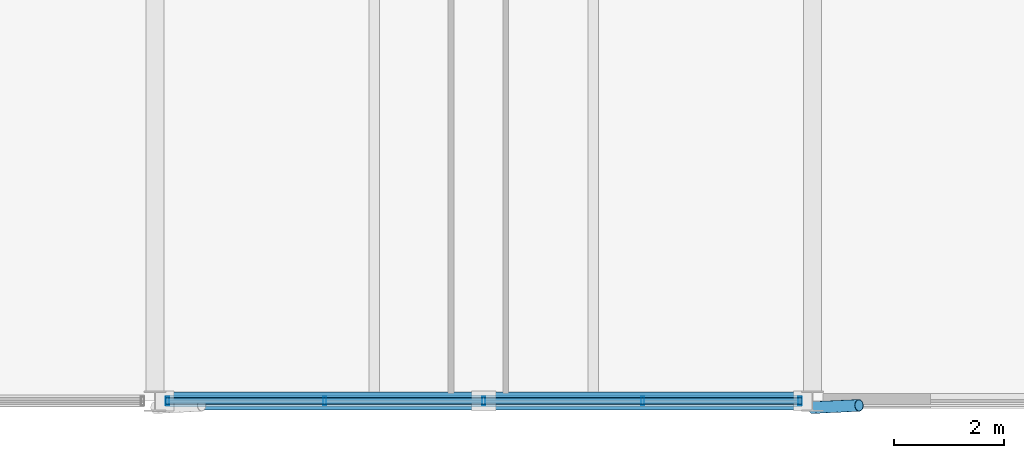
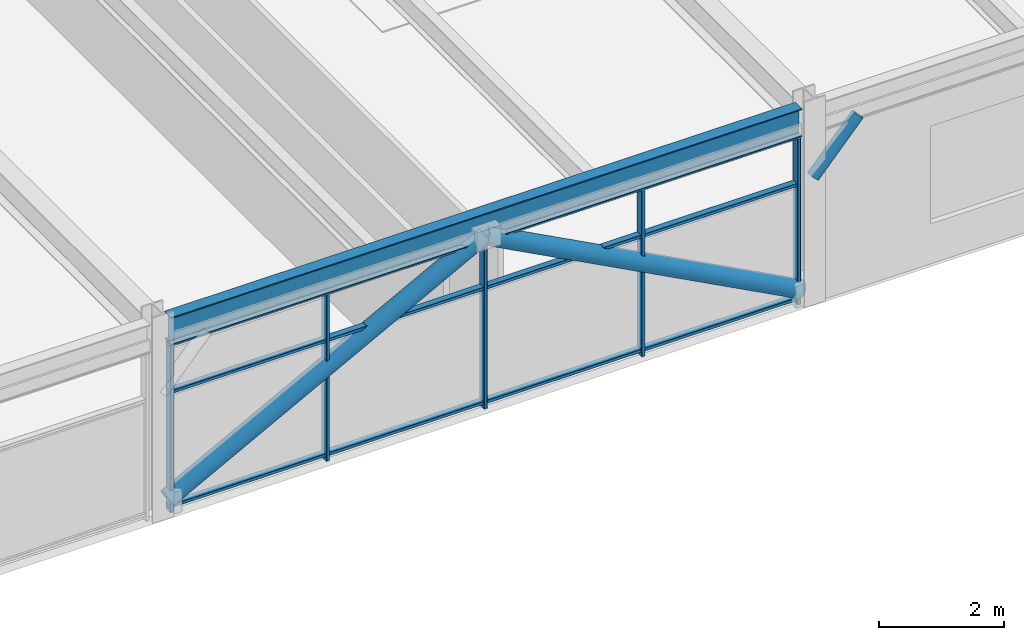
# One storey, part 33 of 51: 11 members, 1 beam, 1 element without a shape of its own.
"""IFC4 building model written with IfcOpenShell, lengths in metres."""

from ifc_helpers import new_model, si_unit, direction, frame, origin, origin_2d, place, context, subcontext, project, spatial, hollow_rectangle, hollow_circle, i_section, extrude, material, material_profile, profile_set, type_object, element, aggregate, save


model = new_model("IFC4")

# Units and contexts
model_context = context("Model", 3, precision=1e-05, world=origin(), true_north=direction((0.0, 1.0)))
body_context = subcontext(model_context, "Body", "Model", "MODEL_VIEW")
ifc_project = project(units=[si_unit("LENGTHUNIT", "METRE"), si_unit("AREAUNIT", "SQUARE_METRE"), si_unit("VOLUMEUNIT", "CUBIC_METRE"), si_unit("PLANEANGLEUNIT", "RADIAN"), si_unit("MASSUNIT", "GRAM", prefix="KILO")], contexts=[model_context])

# Site, building, storey
site_placement = place(None, origin())
site = spatial("IfcSite", under=ifc_project, at=site_placement, CompositionType="ELEMENT")
building_placement = place(site_placement, origin())
building = spatial("IfcBuilding", under=site, at=building_placement, Name="Girod Span Mobility Hub", CompositionType="ELEMENT")
storey_placement = place(building_placement, frame((0.0, 0.0, 41.60009765625)))
storey = spatial("IfcBuildingStorey", under=building, at=storey_placement, Name="L10", CompositionType="ELEMENT", Elevation=41.60009765625)

# Beam
ifc_material_1 = material(Name="Steel A992 Grade 50", Category="steel")
ifc_material_profile_1 = material_profile(ifc_material_1, i_section(OverallWidth=0.2119140625, OverallDepth=0.5439453125, WebThickness=0.01318359375, FlangeThickness=0.021240234375, FilletRadius=0.014892578125, at=origin_2d()), Name="W21X83")
ifc_profile_set_1 = profile_set([ifc_material_profile_1], Name="Steel A992 Grade 50")
beam_type = type_object("IfcBeamType", Name="BM-STL-W21X83", PredefinedType="SPANDREL", material=ifc_profile_set_1)
beam_placement = place(storey_placement, frame((120.194091796875, 27.0, 3.552978515625), z_axis=(1.0, 0.0, 0.0), x_axis=(0.0, 1.0, 0.0)))
element("IfcBeam", 1, at=beam_placement, inside=storey, type_object=beam_type, Name="Girder 11-12/C L10", PredefinedType="SPANDREL", context=body_context, shape_type="SweptSolid", body=[
    extrude(i_section(OverallWidth=0.2119140625, OverallDepth=0.5439453125, WebThickness=0.01318359375, FlangeThickness=0.021240234375, FilletRadius=0.014892578125, at=origin_2d()), origin(), (0.0, 0.0, 1.0), 11.61181640625),
])

# Curtain wall, members
ifc_material_2 = material(Name="Thermally Broken Anodised Aluminium", Category="aluminium")
curtain_wall_type = type_object("IfcCurtainWallType", Name="CW-1161X328", PredefinedType="USERDEFINED", material=ifc_material_2)
curtain_wall_placement = place(storey_placement, origin())
curtain_wall = element("IfcCurtainWall", 2, at=curtain_wall_placement, inside=storey, type_object=curtain_wall_type, Name="Unitised Curtain Wall CW-L10-S11 L10", ObjectType="UNITISED CURTAIN WALL", PredefinedType="USERDEFINED")
ifc_material_3 = material(Name="Thermally Broken Anodised Aluminium", Category="aluminium")
ifc_material_profile_2 = material_profile(ifc_material_3, hollow_rectangle(XDim=0.159912109375, YDim=0.06005859375, WallThickness=0.00341796875, InnerFilletRadius=0.00341796875, OuterFilletRadius=0.007080078125, at=origin_2d()), Name="CW-ML-60X160")
ifc_profile_set_2 = profile_set([ifc_material_profile_2], Name="Thermally Broken Anodised Aluminium")
member_type_1 = type_object("IfcMemberType", Name="CWM-ML-3", PredefinedType="MULLION", material=ifc_profile_set_2)
member_1_placement = place(storey_placement, frame((120.22705078125, 27.0, 0.0), z_axis=(0.0, 0.0, 1.0), x_axis=(0.0, 1.0, 0.0)))
member_1 = element("IfcMember", 3, at=member_1_placement, type_object=member_type_1, Name="Curtain Wall Mullion CW-L10-S11-M0", PredefinedType="MULLION", context=body_context, shape_type="SweptSolid", body=[
    extrude(hollow_rectangle(XDim=0.159912109375, YDim=0.06005859375, WallThickness=0.00341796875, InnerFilletRadius=0.00341796875, OuterFilletRadius=0.007080078125, at=origin_2d()), origin(), (0.0, 0.0, 1.0), 3.281005859375),
])
member_2_placement = place(storey_placement, frame((123.097412109375, 27.0, 0.0), z_axis=(0.0, 0.0, 1.0), x_axis=(0.0, 1.0, 0.0)))
member_2 = element("IfcMember", 4, at=member_2_placement, type_object=member_type_1, Name="Curtain Wall Mullion CW-L10-S11-M1", PredefinedType="MULLION", context=body_context, shape_type="SweptSolid", body=[
    extrude(hollow_rectangle(XDim=0.159912109375, YDim=0.06005859375, WallThickness=0.00341796875, InnerFilletRadius=0.00341796875, OuterFilletRadius=0.007080078125, at=origin_2d()), origin(), (0.0, 0.0, 1.0), 3.281005859375),
])
member_3_placement = place(storey_placement, frame((126.0, 27.0, 0.0), z_axis=(0.0, 0.0, 1.0), x_axis=(0.0, 1.0, 0.0)))
member_3 = element("IfcMember", 5, at=member_3_placement, type_object=member_type_1, Name="Curtain Wall Mullion CW-L10-S11-M2", PredefinedType="MULLION", context=body_context, shape_type="SweptSolid", body=[
    extrude(hollow_rectangle(XDim=0.159912109375, YDim=0.06005859375, WallThickness=0.00341796875, InnerFilletRadius=0.00341796875, OuterFilletRadius=0.007080078125, at=origin_2d()), origin(), (0.0, 0.0, 1.0), 3.281005859375),
])
member_4_placement = place(storey_placement, frame((128.902587890625, 27.0, 0.0), z_axis=(0.0, 0.0, 1.0), x_axis=(0.0, 1.0, 0.0)))
member_4 = element("IfcMember", 6, at=member_4_placement, type_object=member_type_1, Name="Curtain Wall Mullion CW-L10-S11-M3", PredefinedType="MULLION", context=body_context, shape_type="SweptSolid", body=[
    extrude(hollow_rectangle(XDim=0.159912109375, YDim=0.06005859375, WallThickness=0.00341796875, InnerFilletRadius=0.00341796875, OuterFilletRadius=0.007080078125, at=origin_2d()), origin(), (0.0, 0.0, 1.0), 3.281005859375),
])
member_5_placement = place(storey_placement, frame((131.77294921875, 27.0, 0.0), z_axis=(0.0, 0.0, 1.0), x_axis=(0.0, 1.0, 0.0)))
member_5 = element("IfcMember", 7, at=member_5_placement, type_object=member_type_1, Name="Curtain Wall Mullion CW-L10-S11-M4", PredefinedType="MULLION", context=body_context, shape_type="SweptSolid", body=[
    extrude(hollow_rectangle(XDim=0.159912109375, YDim=0.06005859375, WallThickness=0.00341796875, InnerFilletRadius=0.00341796875, OuterFilletRadius=0.007080078125, at=origin_2d()), origin(), (0.0, 0.0, 1.0), 3.281005859375),
])
ifc_material_4 = material(Name="Thermally Broken Anodised Aluminium", Category="aluminium")
ifc_material_profile_3 = material_profile(ifc_material_4, hollow_rectangle(XDim=0.1201171875, YDim=0.06005859375, WallThickness=0.00341796875, InnerFilletRadius=0.00341796875, OuterFilletRadius=0.007080078125, at=origin_2d()), Name="CW-TR-60X120")
ifc_profile_set_3 = profile_set([ifc_material_profile_3], Name="Thermally Broken Anodised Aluminium")
member_type_2 = type_object("IfcMemberType", Name="CWM-TR-3", PredefinedType="USERDEFINED", material=ifc_profile_set_3)
member_6_placement = place(storey_placement, frame((120.195068359375, 27.0, 0.10986328125), z_axis=(1.0, 0.0, 0.0), x_axis=(0.0, 1.0, 0.0)))
member_6 = element("IfcMember", 8, at=member_6_placement, type_object=member_type_2, Name="Curtain Wall Transom CW-L10-S11-T1", ObjectType="TRANSOM", PredefinedType="USERDEFINED", context=body_context, shape_type="SweptSolid", body=[
    extrude(hollow_rectangle(XDim=0.1201171875, YDim=0.06005859375, WallThickness=0.00341796875, InnerFilletRadius=0.00341796875, OuterFilletRadius=0.007080078125, at=origin_2d()), origin(), (0.0, 0.0, 1.0), 11.60986328125),
])
member_7_placement = place(storey_placement, frame((120.195068359375, 27.0, 2.332275390625), z_axis=(1.0, 0.0, 0.0), x_axis=(0.0, 1.0, 0.0)))
member_7 = element("IfcMember", 9, at=member_7_placement, type_object=member_type_2, Name="Curtain Wall Transom CW-L10-S11-T2", ObjectType="TRANSOM", PredefinedType="USERDEFINED", context=body_context, shape_type="SweptSolid", body=[
    extrude(hollow_rectangle(XDim=0.1201171875, YDim=0.06005859375, WallThickness=0.00341796875, InnerFilletRadius=0.00341796875, OuterFilletRadius=0.007080078125, at=origin_2d()), origin(), (0.0, 0.0, 1.0), 11.60986328125),
])
member_8_placement = place(storey_placement, frame((120.195068359375, 27.0, 3.2509765625), z_axis=(1.0, 0.0, 0.0), x_axis=(0.0, 1.0, 0.0)))
member_8 = element("IfcMember", 10, at=member_8_placement, type_object=member_type_2, Name="Curtain Wall Transom CW-L10-S11-T3", ObjectType="TRANSOM", PredefinedType="USERDEFINED", context=body_context, shape_type="SweptSolid", body=[
    extrude(hollow_rectangle(XDim=0.1201171875, YDim=0.06005859375, WallThickness=0.00341796875, InnerFilletRadius=0.00341796875, OuterFilletRadius=0.007080078125, at=origin_2d()), origin(), (0.0, 0.0, 1.0), 11.60986328125),
])
aggregate(curtain_wall, [member_1, member_2, member_3, member_4, member_5, member_6, member_7, member_8])

# Members
ifc_material_5 = material(Name="Steel HSS A500 Grade C", Category="steel")
ifc_material_profile_4 = material_profile(ifc_material_5, hollow_circle(Radius=0.162109375, WallThickness=0.01171875, at=origin_2d()), Name="HSS324X12.7")
ifc_profile_set_4 = profile_set([ifc_material_profile_4], Name="Steel HSS A500 Grade C")
member_type_3 = type_object("IfcMemberType", Name="MB-BR-HSS324", PredefinedType="BRACE", material=ifc_profile_set_4)
for number, where, z_axis, x_axis, name in (
    (11, (120.177001953125, 27.0, 0.25), (0.883282045976, 0.0, 0.468842006711), (0.0, 1.0, 0.0), "Upper Diagrid Brace 11/C-L L10"),
    (12, (131.822998046875, 27.0, 0.25), (-0.883282045976, 0.0, 0.468842006711), (0.0, -1.0, 0.0), "Upper Diagrid Brace 11/C-R L10"),
):
    element("IfcMember", number, at=place(storey_placement, frame(where, z_axis=z_axis, x_axis=x_axis)), inside=storey, type_object=member_type_3, Name=name, PredefinedType="BRACE", context=body_context, shape_type="SweptSolid", body=[
        extrude(hollow_circle(Radius=0.162109375, WallThickness=0.01171875, at=origin_2d()), origin(), (0.0, 0.0, 1.0), 6.592529296875),
    ])
ifc_material_6 = material(Name="Steel HSS A500 Grade C", Category="steel")
ifc_material_profile_5 = material_profile(ifc_material_6, hollow_circle(Radius=0.109619140625, WallThickness=0.0087890625, at=origin_2d()), Name="HSS219X9.5")
ifc_profile_set_5 = profile_set([ifc_material_profile_5], Name="Steel HSS A500 Grade C")
member_type_4 = type_object("IfcMemberType", Name="MB-ST-HSS219", PredefinedType="STRUT", material=ifc_profile_set_5)
member_9_placement = place(storey_placement, frame((132.0, 26.8798828125, 2.449951171875), z_axis=(0.68831469116, 0.032419187062, 0.72468743762), x_axis=(-0.047047213483, 0.998892666758, 0.0)))
element("IfcMember", 13, at=member_9_placement, inside=storey, type_object=member_type_4, Name="Solar Shading Knee Strut 12 L10", PredefinedType="STRUT", context=body_context, shape_type="SweptSolid", body=[
    extrude(hollow_circle(Radius=0.109619140625, WallThickness=0.0087890625, at=origin_2d()), origin(), (0.0, 0.0, 1.0), 1.235107421875),
])

save(model, "model.ifc")
